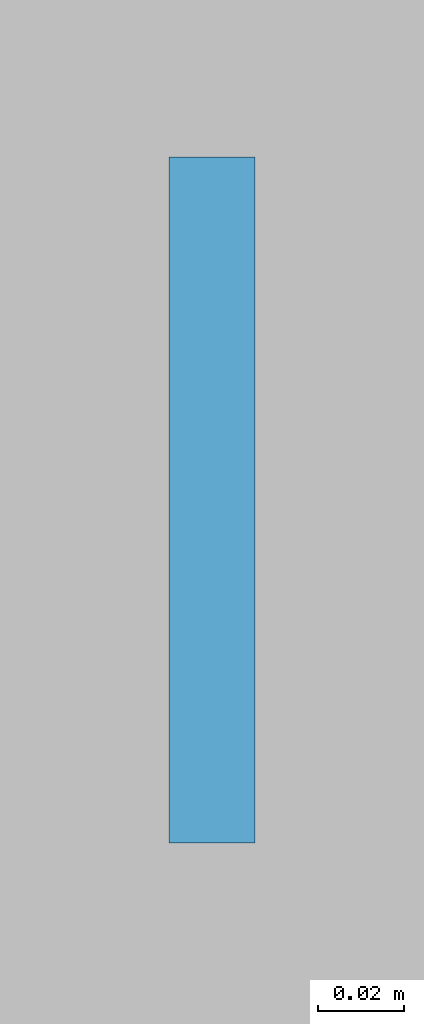
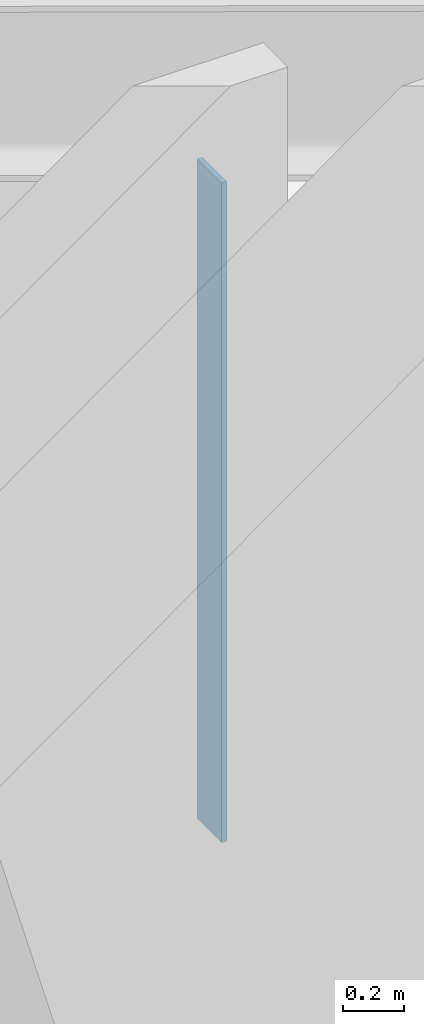
# One storey, part 5 of 12: 1 plate.
"""IFC4 building model written with IfcOpenShell, lengths in metres."""

import ifcopenshell
import ifcopenshell.guid

model = None  # the IFC model being written
_history = None  # IfcOwnerHistory: only IFC2X3 demands one
_inside = {}  # id of a spatial element -> (the spatial element, [elements in it])
_under = {}  # id of a project, library or spatial element -> (it, [spatial elements below it])
_declared = {}  # id of a project -> (the project, [libraries it declares])
_typed = {}  # id of a type object -> (the type object, [elements of that type])
_made_of = {}  # id of a material, layer set ... -> (it, [elements and type objects made of it])


def new_model(schema):
    """Start an empty IFC model of exactly this schema.

    Asked for "IFC4X3", IfcOpenShell would pick the latest addendum, in which some entities
    have other attributes; the version numbers below select the first issue.
    IFC2X3 requires an IfcOwnerHistory on every rooted entity: one is made here for all.
    """
    global model, _history
    if schema == "IFC4X3":
        model = ifcopenshell.file(schema_version=(4, 3, 0, 0))
    else:
        model = ifcopenshell.file(schema=schema)
    _inside.clear()
    _under.clear()
    _declared.clear()
    _typed.clear()
    _made_of.clear()
    _history = None
    if model.schema == "IFC2X3":
        org = make("IfcOrganization", Name="unknown")
        user = make(
            "IfcPersonAndOrganization",
            ThePerson=make("IfcPerson", FamilyName="unknown"),
            TheOrganization=org,
        )
        app = make(
            "IfcApplication",
            ApplicationDeveloper=org,
            Version="unknown",
            ApplicationFullName="unknown",
            ApplicationIdentifier="unknown",
        )
        _history = make(
            "IfcOwnerHistory",
            OwningUser=user,
            OwningApplication=app,
            ChangeAction="ADDED",
            CreationDate=0,
        )
    return model


def make(cls, **values):
    """One entity of the class cls with the attributes given. An attribute that is None is left unset."""
    return model.create_entity(
        cls, **{name: value for name, value in values.items() if value is not None}
    )


def rooted(cls, **values):
    """An entity with a GlobalId (a new one), such as an element, a storey or a relation."""
    return make(cls, GlobalId=ifcopenshell.guid.new(), OwnerHistory=_history, **values)


def si_unit(unit_type, name, prefix=None):
    """IfcSIUnit, for example si_unit("LENGTHUNIT", "METRE", prefix="MILLI")."""
    return make("IfcSIUnit", UnitType=unit_type, Prefix=prefix, Name=name)


def assignment(units):
    """IfcUnitAssignment: the units of a project."""
    return None if units is None else make("IfcUnitAssignment", Units=units)


def point(xyz):
    """IfcCartesianPoint."""
    return None if xyz is None else make("IfcCartesianPoint", Coordinates=xyz)


def direction(xyz):
    """IfcDirection."""
    return None if xyz is None else make("IfcDirection", DirectionRatios=xyz)


def frame(location, z_axis=None, x_axis=None):
    """IfcAxis2Placement3D, a coordinate frame: its origin and axes. An axis left out is left unset."""
    return make(
        "IfcAxis2Placement3D",
        Location=point(location),
        Axis=direction(z_axis),
        RefDirection=direction(x_axis),
    )


def frame_2d(location, x_axis=None):
    """IfcAxis2Placement2D, a coordinate frame in the plane: its origin and x axis."""
    return make(
        "IfcAxis2Placement2D", Location=point(location), RefDirection=direction(x_axis)
    )


def origin():
    """The frame at (0, 0, 0) with its axes left unset."""
    return frame((0.0, 0.0, 0.0))


def origin_2d():
    """The frame at (0, 0) in the plane with its x axis left unset."""
    return frame_2d((0.0, 0.0))


def place(relative_to, where):
    """IfcLocalPlacement: puts the frame where relative to a parent placement (None: the world)."""
    return make(
        "IfcLocalPlacement", PlacementRelTo=relative_to, RelativePlacement=where
    )


def context(
    kind, dimensions, precision=None, world=None, true_north=None, identifier=None
):
    """IfcGeometricRepresentationContext, for example the 3D "Model" context."""
    return make(
        "IfcGeometricRepresentationContext",
        ContextIdentifier=identifier,
        ContextType=kind,
        CoordinateSpaceDimension=dimensions,
        Precision=precision,
        WorldCoordinateSystem=world,
        TrueNorth=true_north,
    )


def subcontext(parent, identifier, kind, view, scale=None):
    """IfcGeometricRepresentationSubContext, for example "Body" below "Model"."""
    return make(
        "IfcGeometricRepresentationSubContext",
        ContextIdentifier=identifier,
        ContextType=kind,
        ParentContext=parent,
        TargetScale=scale,
        TargetView=view,
    )


def project(units=None, contexts=None):
    """IfcProject with its units and contexts."""
    return rooted(
        "IfcProject",
        Name="project",
        RepresentationContexts=contexts,
        UnitsInContext=assignment(units),
    )


def spatial(cls, under=None, at=None, **own):
    """A site, building, storey or space (cls), placed at a placement, below another one or the project."""
    s = rooted(cls, ObjectPlacement=at, **own)
    if under is not None:
        _under.setdefault(under.id(), (under, []))[1].append(s)
    return s


def profile(cls, at=None, kind="AREA", **sizes):
    """A parametric profile (cls). Its sizes go by their IFC names, for example OverallWidth=200.0."""
    return make(cls, ProfileType=kind, Position=at, **sizes)


def rectangle(**sizes):
    """IfcRectangleProfileDef."""
    return profile("IfcRectangleProfileDef", **sizes)


def extrude(swept, where, along, depth):
    """IfcExtrudedAreaSolid: the profile swept, set in the frame where, extruded along a direction by depth."""
    return make(
        "IfcExtrudedAreaSolid",
        SweptArea=swept,
        Position=where,
        ExtrudedDirection=direction(along),
        Depth=depth,
    )


def shape(context_of_items, identifier, shape_type, items):
    """IfcShapeRepresentation: the items that make up one representation, for example the "Body"."""
    return make(
        "IfcShapeRepresentation",
        ContextOfItems=context_of_items,
        RepresentationIdentifier=identifier,
        RepresentationType=shape_type,
        Items=items,
    )


def material(Name=None, Category=None):
    """IfcMaterial."""
    return make("IfcMaterial", Name=Name, Category=Category)


def layer(
    of_material, thickness, ventilated=None, Name=None, Category=None, Priority=None
):
    """IfcMaterialLayer: one layer of a wall or slab, of a material (None: an air gap)."""
    return make(
        "IfcMaterialLayer",
        Material=of_material,
        LayerThickness=thickness,
        IsVentilated=ventilated,
        Name=Name,
        Category=Category,
        Priority=Priority,
    )


def layer_set(layers, Name=None):
    """IfcMaterialLayerSet."""
    return make("IfcMaterialLayerSet", MaterialLayers=layers, LayerSetName=Name)


def made_of(thing, what):
    """Note that an element or type object is made of a material, layer set ...; save() writes the relation."""
    if what is not None:
        _made_of.setdefault(what.id(), (what, []))[1].append(thing)
    return thing


def type_object(cls, material=None, **own):
    """A type object (cls), such as IfcWallType, which elements share."""
    return made_of(rooted(cls, **own), material)


def element(
    cls,
    number,
    at=None,
    inside=None,
    cuts=None,
    type_object=None,
    material=None,
    context=None,
    identifier="Body",
    shape_type=None,
    held_by="IfcProductDefinitionShape",
    body=None,
    shapes=None,
    **own,
):
    """One element of the class cls, such as IfcWall. Its Tag is "e" and its number.

    at: its placement. inside: the storey or other place that contains it. cuts: it is an
    opening in that element (IfcRelVoidsElement). A single representation is given by context,
    identifier, shape_type and body (its items); several are given by shapes. held_by: the class
    of the entity that holds the representations. save() writes the other relations.
    """
    e = rooted(cls, Tag="e%d" % number, ObjectPlacement=at, **own)
    if body is not None:
        shapes = [shape(context, identifier, shape_type, body)]
    if shapes is not None:
        e.Representation = make(held_by, Representations=shapes)
    if inside is not None:
        _inside.setdefault(inside.id(), (inside, []))[1].append(e)
    if cuts is not None:
        rooted(
            "IfcRelVoidsElement", RelatingBuildingElement=cuts, RelatedOpeningElement=e
        )
    if type_object is not None:
        _typed.setdefault(type_object.id(), (type_object, []))[1].append(e)
    return made_of(e, material)


def aggregate(whole, parts):
    """IfcRelAggregates: a whole, such as a stair, and the parts it consists of."""
    return rooted("IfcRelAggregates", RelatingObject=whole, RelatedObjects=parts)


def save(model, path):
    """Write the relations noted so far, then the file.

    IfcRelAggregates (storeys below a building ...), IfcRelContainedInSpatialStructure (elements
    in a storey), IfcRelDefinesByType, IfcRelAssociatesMaterial and IfcRelDeclares: one each for
    every whole, place, type object, material and project.
    """
    for whole, parts in _under.values():
        aggregate(whole, parts)
    for where, things in _inside.values():
        rooted(
            "IfcRelContainedInSpatialStructure",
            RelatedElements=things,
            RelatingStructure=where,
        )
    for kind, things in _typed.values():
        rooted("IfcRelDefinesByType", RelatedObjects=things, RelatingType=kind)
    for what, things in _made_of.values():
        rooted("IfcRelAssociatesMaterial", RelatedObjects=things, RelatingMaterial=what)
    for by, libraries in _declared.values():
        rooted("IfcRelDeclares", RelatingContext=by, RelatedDefinitions=libraries)
    model.write(path)


model = new_model("IFC4")

# Units and contexts
model_context = context("Model", 3, precision=1e-05, world=origin(), true_north=direction((0.0, 1.0)))
body_context = subcontext(model_context, "Body", "Model", "MODEL_VIEW")
ifc_project = project(units=[si_unit("LENGTHUNIT", "METRE"), si_unit("AREAUNIT", "SQUARE_METRE"), si_unit("VOLUMEUNIT", "CUBIC_METRE"), si_unit("PLANEANGLEUNIT", "RADIAN"), si_unit("MASSUNIT", "GRAM", prefix="KILO")], contexts=[model_context])

# Site, building, storey
site_placement = place(None, origin())
site = spatial("IfcSite", under=ifc_project, at=site_placement, CompositionType="ELEMENT")
building_placement = place(site_placement, origin())
building = spatial("IfcBuilding", under=site, at=building_placement, Name="Miruveldt Soraemaru", CompositionType="ELEMENT")
storey_placement = place(building_placement, frame((0.0, 0.0, 219.60009765625)))
storey = spatial("IfcBuildingStorey", under=building, at=storey_placement, Name="L60", CompositionType="ELEMENT", Elevation=219.60009765625)

# Plate
ifc_material = material(Name="Anodised aluminium EN AW-6063 T6", Category="aluminium")
ifc_layer = layer(ifc_material, 0.02001953125, Name="Anodised aluminium EN AW-6063 T6", Category="aluminium")
ifc_layer_set = layer_set([ifc_layer], Name="Anodised aluminium EN AW-6063 T6")
plate_type = type_object("IfcPlateType", Name="PLT-PART-TRIM", PredefinedType="SHEET", material=ifc_layer_set)
plate_placement = place(storey_placement, frame((51.093994140625, 53.465087890625, 0.0), z_axis=(0.0, 0.0, 1.0), x_axis=(0.0, -1.0, 0.0)))
element("IfcPlate", 1, at=plate_placement, inside=storey, type_object=plate_type, Name="L60 Partition Step Corner Trim Plate 048", PredefinedType="SHEET", context=body_context, shape_type="SweptSolid", body=[
    extrude(rectangle(XDim=0.159912109375, YDim=0.02001953125, at=origin_2d()), origin(), (0.0, 0.0, 1.0), 2.633056640625),
])

save(model, "model.ifc")
